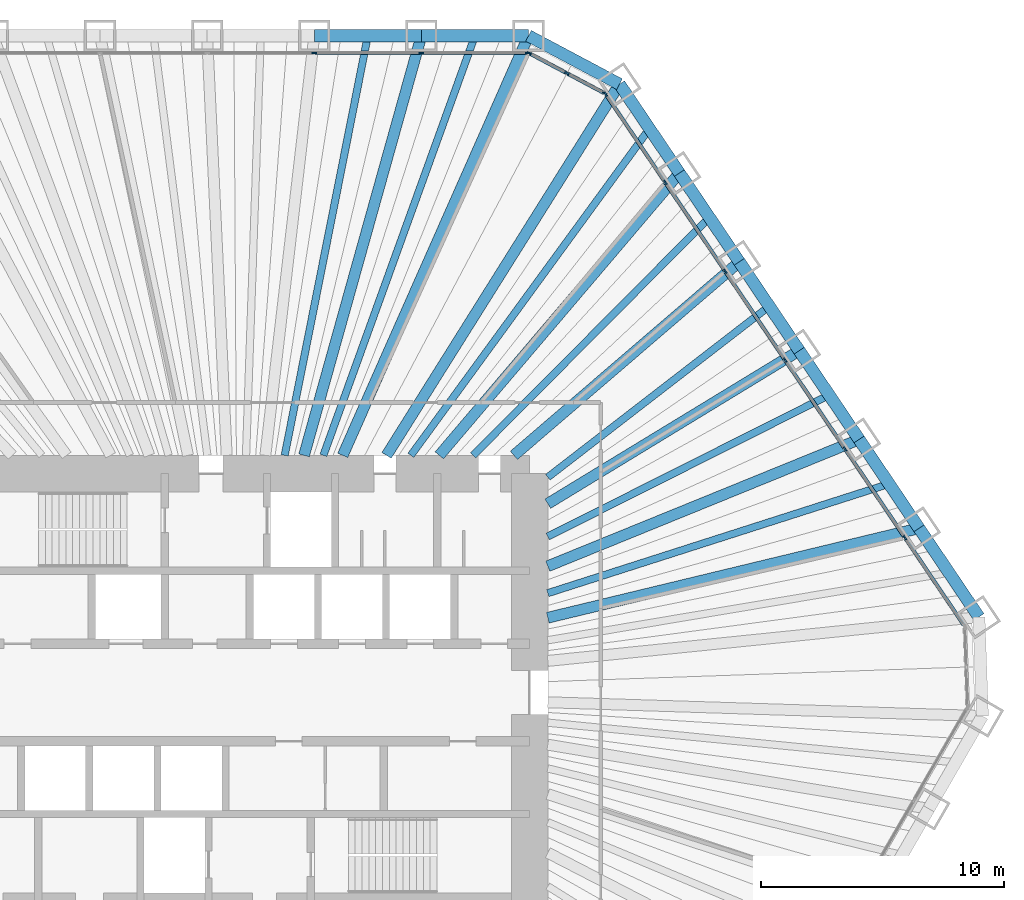
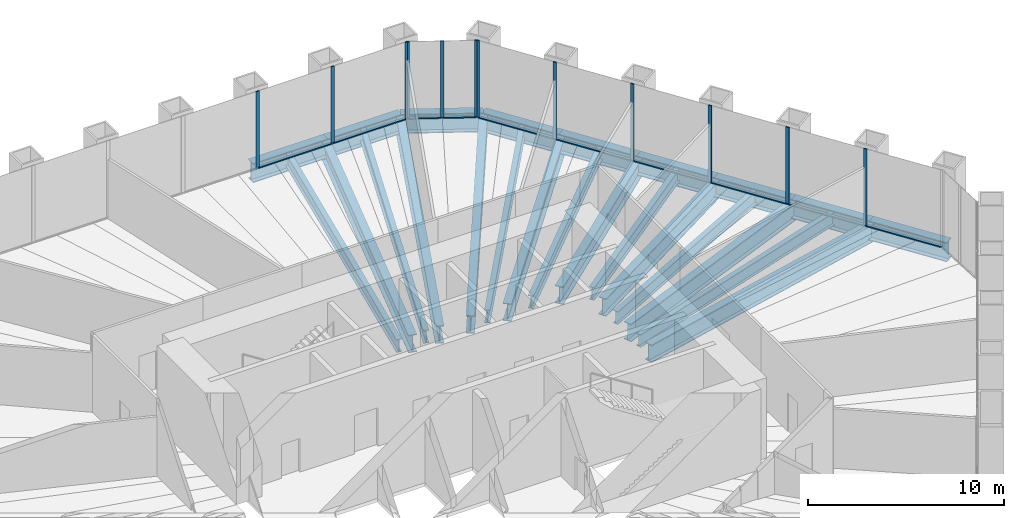
# One storey, part 7 of 14: 24 beams, 22 members, 3 elements without a shape of their own.
"""IFC4 building model written with IfcOpenShell, lengths in metres."""

from ifc_helpers import new_model, si_unit, direction, frame, origin, origin_2d, place, context, subcontext, project, spatial, rectangle, i_section, extrude, material, material_profile, profile_set, type_object, element, aggregate, save


model = new_model("IFC4")

# Units and contexts
model_context = context("Model", 3, precision=1e-05, world=origin(), true_north=direction((0.0, 1.0)))
body_context = subcontext(model_context, "Body", "Model", "MODEL_VIEW")
ifc_project = project(units=[si_unit("LENGTHUNIT", "METRE"), si_unit("AREAUNIT", "SQUARE_METRE"), si_unit("VOLUMEUNIT", "CUBIC_METRE"), si_unit("PLANEANGLEUNIT", "RADIAN"), si_unit("MASSUNIT", "GRAM", prefix="KILO")], contexts=[model_context])

# Site, building, storey
site_placement = place(None, origin())
site = spatial("IfcSite", under=ifc_project, at=site_placement, CompositionType="ELEMENT")
building_placement = place(site_placement, origin())
building = spatial("IfcBuilding", under=site, at=building_placement, Name="Qingtian Harvest Tower", CompositionType="ELEMENT")
storey_placement = place(building_placement, frame((0.0, 0.0, 82.0)))
storey = spatial("IfcBuildingStorey", under=building, at=storey_placement, Name="L16", CompositionType="ELEMENT", Elevation=82.0)

# Beams
ifc_material_1 = material(Name="Steel SM570MC", Category="steel")
ifc_material_profile_1 = material_profile(ifc_material_1, i_section(OverallWidth=0.449951171875, OverallDepth=1.10009765625, WebThickness=0.02197265625, FlangeThickness=0.044921875, at=origin_2d()), Name="H1100x450x22x45")
ifc_profile_set_1 = profile_set([ifc_material_profile_1], Name="Steel SM570MC")
beam_type_1 = type_object("IfcBeamType", Name="Corner floor beam FB8 H1100x450x22x45", PredefinedType="BEAM", material=ifc_profile_set_1)
beam_1_placement = place(storey_placement, frame((11.9560546875, 27.0, -0.75), z_axis=(-0.404898955654, -0.914361436036, 0.0), x_axis=(0.914361436036, -0.404898955654, 0.0)))
element("IfcBeam", 1, at=beam_1_placement, inside=storey, type_object=beam_type_1, Name="Floor beam FB8 N6", PredefinedType="BEAM", context=body_context, shape_type="SweptSolid", body=[
    extrude(i_section(OverallWidth=0.449951171875, OverallDepth=1.10009765625, WebThickness=0.02197265625, FlangeThickness=0.044921875, at=origin_2d()), origin(), (0.0, 0.0, 1.0), 18.86572265625),
])
beam_2_placement = place(storey_placement, frame((15.6982421875, 25.01025390625, -0.75), z_axis=(-0.531622796942, -0.846981228701, 0.0), x_axis=(0.846981228701, -0.531622796942, 0.0)))
element("IfcBeam", 2, at=beam_2_placement, inside=storey, type_object=beam_type_1, Name="Floor beam FB8 NE0", PredefinedType="BEAM", context=body_context, shape_type="SweptSolid", body=[
    extrude(i_section(OverallWidth=0.449951171875, OverallDepth=1.10009765625, WebThickness=0.02197265625, FlangeThickness=0.044921875, at=origin_2d()), origin(), (0.0, 0.0, 1.0), 18.017333984375),
])
ifc_material_2 = material(Name="Steel SM570MC", Category="steel")
ifc_material_profile_2 = material_profile(ifc_material_2, i_section(OverallWidth=0.449951171875, OverallDepth=1.10009765625, WebThickness=0.02197265625, FlangeThickness=0.044921875, at=origin_2d()), Name="H1100x450x22x45")
ifc_profile_set_2 = profile_set([ifc_material_profile_2], Name="Steel SM570MC")
beam_type_2 = type_object("IfcBeamType", Name="Floor beam FB1 H1100x450x22x45", PredefinedType="BEAM", material=ifc_profile_set_2)
beam_3_placement = place(storey_placement, frame((7.551513671875, 27.0, -0.75), z_axis=(-0.269343258019, -0.963044240604, 0.0), x_axis=(0.963044240604, -0.269343258019, 0.0)))
element("IfcBeam", 3, at=beam_3_placement, inside=storey, type_object=beam_type_2, Name="Floor beam FB1 N5", PredefinedType="BEAM", context=body_context, shape_type="SweptSolid", body=[
    extrude(i_section(OverallWidth=0.449951171875, OverallDepth=1.10009765625, WebThickness=0.02197265625, FlangeThickness=0.044921875, at=origin_2d()), origin(), (0.0, 0.0, 1.0), 17.911865234375),
])
beam_4_placement = place(storey_placement, frame((18.1611328125, 21.358642578125, -0.75), z_axis=(-0.647781887327, -0.761825850474, 0.0), x_axis=(0.761825850474, -0.647781887327, 0.0)))
element("IfcBeam", 4, at=beam_4_placement, inside=storey, type_object=beam_type_2, Name="Floor beam FB1 NE1", PredefinedType="BEAM", context=body_context, shape_type="SweptSolid", body=[
    extrude(i_section(OverallWidth=0.449951171875, OverallDepth=1.10009765625, WebThickness=0.02197265625, FlangeThickness=0.044921875, at=origin_2d()), origin(), (0.0, 0.0, 1.0), 15.238037109375),
])
beam_5_placement = place(storey_placement, frame((20.624267578125, 17.70703125, -0.75), z_axis=(-0.75873153072, -0.651403457384, 0.0), x_axis=(0.651403457384, -0.75873153072, 0.0)))
element("IfcBeam", 5, at=beam_5_placement, inside=storey, type_object=beam_type_2, Name="Floor beam FB1 NE2", PredefinedType="BEAM", context=body_context, shape_type="SweptSolid", body=[
    extrude(i_section(OverallWidth=0.449951171875, OverallDepth=1.10009765625, WebThickness=0.02197265625, FlangeThickness=0.044921875, at=origin_2d()), origin(), (0.0, 0.0, 1.0), 12.21533203125),
])
beam_6_placement = place(storey_placement, frame((23.08740234375, 14.0556640625, -0.75), z_axis=(-0.854157261259, -0.520014781558, 0.0), x_axis=(0.520014781558, -0.854157261259, 0.0)))
element("IfcBeam", 6, at=beam_6_placement, inside=storey, type_object=beam_type_2, Name="Floor beam FB1 NE3", PredefinedType="BEAM", context=body_context, shape_type="SweptSolid", body=[
    extrude(i_section(OverallWidth=0.449951171875, OverallDepth=1.10009765625, WebThickness=0.02197265625, FlangeThickness=0.044921875, at=origin_2d()), origin(), (0.0, 0.0, 1.0), 12.1025390625),
])
beam_7_placement = place(storey_placement, frame((25.55029296875, 10.404052734375, -0.75), z_axis=(-0.926156354735, -0.37713977062, 0.0), x_axis=(0.37713977062, -0.926156354735, 0.0)))
element("IfcBeam", 7, at=beam_7_placement, inside=storey, type_object=beam_type_2, Name="Floor beam FB1 NE4", PredefinedType="BEAM", context=body_context, shape_type="SweptSolid", body=[
    extrude(i_section(OverallWidth=0.449951171875, OverallDepth=1.10009765625, WebThickness=0.02197265625, FlangeThickness=0.044921875, at=origin_2d()), origin(), (0.0, 0.0, 1.0), 13.82080078125),
])
beam_8_placement = place(storey_placement, frame((28.013427734375, 6.75244140625, -0.75), z_axis=(-0.972155908389, -0.234334994792, 0.0), x_axis=(0.234334994792, -0.972155908389, 0.0)))
element("IfcBeam", 8, at=beam_8_placement, inside=storey, type_object=beam_type_2, Name="Floor beam FB1 NE5", PredefinedType="BEAM", context=body_context, shape_type="SweptSolid", body=[
    extrude(i_section(OverallWidth=0.449951171875, OverallDepth=1.10009765625, WebThickness=0.02197265625, FlangeThickness=0.044921875, at=origin_2d()), origin(), (0.0, 0.0, 1.0), 15.70068359375),
])
ifc_material_3 = material(Name="Steel SN490B", Category="steel")
ifc_material_profile_3 = material_profile(ifc_material_3, i_section(OverallWidth=0.300048828125, OverallDepth=0.800048828125, WebThickness=0.013916015625, FlangeThickness=0.02587890625, at=origin_2d()), Name="H800x300x14x26")
ifc_profile_set_3 = profile_set([ifc_material_profile_3], Name="Steel SN490B")
beam_type_3 = type_object("IfcBeamType", Name="Floor joist J1 H800x300x14x26", PredefinedType="JOIST", material=ifc_profile_set_3)
beam_9_placement = place(storey_placement, frame((5.349365234375, 27.0, -0.60009765625), z_axis=(-0.19435104803, -0.980932041545, 0.0), x_axis=(0.980932041545, -0.19435104803, 0.0)))
element("IfcBeam", 9, at=beam_9_placement, inside=storey, type_object=beam_type_3, Name="Floor joist J1 N4", PredefinedType="JOIST", context=body_context, shape_type="SweptSolid", body=[
    extrude(i_section(OverallWidth=0.300048828125, OverallDepth=0.800048828125, WebThickness=0.013916015625, FlangeThickness=0.02587890625, at=origin_2d()), origin(), (0.0, 0.0, 1.0), 17.585205078125),
])
beam_10_placement = place(storey_placement, frame((9.75390625, 27.0, -0.60009765625), z_axis=(-0.339766141765, -0.940509951521, 0.0), x_axis=(0.940509951521, -0.339766141765, 0.0)))
element("IfcBeam", 10, at=beam_10_placement, inside=storey, type_object=beam_type_3, Name="Floor joist J1 N5", PredefinedType="JOIST", context=body_context, shape_type="SweptSolid", body=[
    extrude(i_section(OverallWidth=0.300048828125, OverallDepth=0.800048828125, WebThickness=0.013916015625, FlangeThickness=0.02587890625, at=origin_2d()), origin(), (0.0, 0.0, 1.0), 18.341064453125),
])
beam_11_placement = place(storey_placement, frame((16.9296875, 23.1845703125, -0.60009765625), z_axis=(-0.589722175422, -0.80760618857, 0.0), x_axis=(0.80760618857, -0.589722175422, 0.0)))
element("IfcBeam", 11, at=beam_11_placement, inside=storey, type_object=beam_type_3, Name="Floor joist J1 NE0", PredefinedType="JOIST", context=body_context, shape_type="SweptSolid", body=[
    extrude(i_section(OverallWidth=0.300048828125, OverallDepth=0.800048828125, WebThickness=0.013916015625, FlangeThickness=0.02587890625, at=origin_2d()), origin(), (0.0, 0.0, 1.0), 16.635009765625),
])
beam_12_placement = place(storey_placement, frame((19.392822265625, 19.532958984375, -0.60009765625), z_axis=(-0.704560879039, -0.709643549768, 0.0), x_axis=(0.709643549768, -0.704560879039, 0.0)))
element("IfcBeam", 12, at=beam_12_placement, inside=storey, type_object=beam_type_3, Name="Floor joist J1 NE1", PredefinedType="JOIST", context=body_context, shape_type="SweptSolid", body=[
    extrude(i_section(OverallWidth=0.300048828125, OverallDepth=0.800048828125, WebThickness=0.013916015625, FlangeThickness=0.02587890625, at=origin_2d()), origin(), (0.0, 0.0, 1.0), 13.78564453125),
])
beam_13_placement = place(storey_placement, frame((21.855712890625, 15.88134765625, -0.60009765625), z_axis=(-0.79149450594, -0.611176281499, 0.0), x_axis=(0.611176281499, -0.79149450594, 0.0)))
element("IfcBeam", 13, at=beam_13_placement, inside=storey, type_object=beam_type_3, Name="Floor joist J1 NE2", PredefinedType="JOIST", context=body_context, shape_type="SweptSolid", body=[
    extrude(i_section(OverallWidth=0.300048828125, OverallDepth=0.800048828125, WebThickness=0.013916015625, FlangeThickness=0.02587890625, at=origin_2d()), origin(), (0.0, 0.0, 1.0), 11.50439453125),
])
beam_14_placement = place(storey_placement, frame((24.31884765625, 12.229736328125, -0.60009765625), z_axis=(-0.893391632689, -0.449278744924, 0.0), x_axis=(0.449278744924, -0.893391632689, 0.0)))
element("IfcBeam", 14, at=beam_14_placement, inside=storey, type_object=beam_type_3, Name="Floor joist J1 NE3", PredefinedType="JOIST", context=body_context, shape_type="SweptSolid", body=[
    extrude(i_section(OverallWidth=0.300048828125, OverallDepth=0.800048828125, WebThickness=0.013916015625, FlangeThickness=0.02587890625, at=origin_2d()), origin(), (0.0, 0.0, 1.0), 12.949462890625),
])
beam_15_placement = place(storey_placement, frame((26.78173828125, 8.578125, -0.60009765625), z_axis=(-0.952340804978, -0.305036048976, 0.0), x_axis=(0.305036048976, -0.952340804978, 0.0)))
element("IfcBeam", 15, at=beam_15_placement, inside=storey, type_object=beam_type_3, Name="Floor joist J1 NE4", PredefinedType="JOIST", context=body_context, shape_type="SweptSolid", body=[
    extrude(i_section(OverallWidth=0.300048828125, OverallDepth=0.800048828125, WebThickness=0.013916015625, FlangeThickness=0.02587890625, at=origin_2d()), origin(), (0.0, 0.0, 1.0), 14.73388671875),
])

# Curtain wall, members
ifc_material_4 = material(Name="Bronze-anodised aluminium curtain wall", Category="aluminium")
curtain_wall_type = type_object("IfcCurtainWallType", Name="Curtain wall CW2 farm reception", PredefinedType="USERDEFINED", material=ifc_material_4)
curtain_wall_1_placement = place(storey_placement, origin())
curtain_wall_1 = element("IfcCurtainWall", 16, at=curtain_wall_1_placement, inside=storey, type_object=curtain_wall_type, Name="Curtain wall CW2 L16 N0-5", ObjectType="RECESSED CURTAIN WALL", PredefinedType="USERDEFINED")
ifc_material_5 = material(Name="Bronze-anodised aluminium mullion", Category="aluminium")
ifc_material_profile_4 = material_profile(ifc_material_5, rectangle(XDim=0.06494140625, YDim=0.199951171875, at=origin_2d()), Name="AL 65x200")
ifc_profile_set_4 = profile_set([ifc_material_profile_4], Name="Bronze-anodised aluminium mullion")
member_type_1 = type_object("IfcMemberType", Name="Mullion CWM 65x200", PredefinedType="MULLION", material=ifc_profile_set_4)
member_1_placement = place(storey_placement, frame((3.14697265625, 26.300048828125, 0.0), z_axis=(0.0, 0.0, 1.0), x_axis=(0.0, 1.0, 0.0)))
member_1 = element("IfcMember", 17, at=member_1_placement, type_object=member_type_1, Name="CW2 mullion 5", PredefinedType="MULLION", context=body_context, shape_type="SweptSolid", body=[
    extrude(rectangle(XDim=0.06494140625, YDim=0.199951171875, at=origin_2d()), origin(), (0.0, 0.0, 1.0), 4.800048828125),
])
member_2_placement = place(storey_placement, frame((7.551513671875, 26.300048828125, 0.0), z_axis=(0.0, 0.0, 1.0), x_axis=(0.0, 1.0, 0.0)))
member_2 = element("IfcMember", 18, at=member_2_placement, type_object=member_type_1, Name="CW2 mullion 6", PredefinedType="MULLION", context=body_context, shape_type="SweptSolid", body=[
    extrude(rectangle(XDim=0.06494140625, YDim=0.199951171875, at=origin_2d()), origin(), (0.0, 0.0, 1.0), 4.800048828125),
])
member_3_placement = place(storey_placement, frame((11.923583984375, 26.300048828125, 0.0), z_axis=(0.0, 0.0, 1.0), x_axis=(0.0, 1.0, 0.0)))
member_3 = element("IfcMember", 19, at=member_3_placement, type_object=member_type_1, Name="CW2 mullion 7", PredefinedType="MULLION", context=body_context, shape_type="SweptSolid", body=[
    extrude(rectangle(XDim=0.06494140625, YDim=0.199951171875, at=origin_2d()), origin(), (0.0, 0.0, 1.0), 4.800048828125),
])

curtain_wall_2_placement = place(storey_placement, origin())
curtain_wall_2 = element("IfcCurtainWall", 20, at=curtain_wall_2_placement, inside=storey, type_object=curtain_wall_type, Name="Curtain wall CW2 L16 NC", ObjectType="RECESSED CURTAIN WALL", PredefinedType="USERDEFINED")
member_4_placement = place(storey_placement, frame((11.98486328125, 26.28466796875, 0.0), z_axis=(0.0, 0.0, 1.0), x_axis=(0.469471562786, 0.882947592859, 0.0)))
member_4 = element("IfcMember", 21, at=member_4_placement, type_object=member_type_1, Name="CW2 mullion 1", PredefinedType="MULLION", context=body_context, shape_type="SweptSolid", body=[
    extrude(rectangle(XDim=0.06494140625, YDim=0.199951171875, at=origin_2d()), origin(), (0.0, 0.0, 1.0), 4.800048828125),
])
member_5_placement = place(storey_placement, frame((13.537109375, 25.45947265625, 0.0), z_axis=(0.0, 0.0, 1.0), x_axis=(0.469471562786, 0.882947592859, 0.0)))
member_5 = element("IfcMember", 22, at=member_5_placement, type_object=member_type_1, Name="CW2 mullion 2", PredefinedType="MULLION", context=body_context, shape_type="SweptSolid", body=[
    extrude(rectangle(XDim=0.06494140625, YDim=0.199951171875, at=origin_2d()), origin(), (0.0, 0.0, 1.0), 4.800048828125),
])
member_6_placement = place(storey_placement, frame((15.089111328125, 24.634033203125, 0.0), z_axis=(0.0, 0.0, 1.0), x_axis=(0.469471562786, 0.882947592859, 0.0)))
member_6 = element("IfcMember", 23, at=member_6_placement, type_object=member_type_1, Name="CW2 mullion 3", PredefinedType="MULLION", context=body_context, shape_type="SweptSolid", body=[
    extrude(rectangle(XDim=0.06494140625, YDim=0.199951171875, at=origin_2d()), origin(), (0.0, 0.0, 1.0), 4.800048828125),
])

curtain_wall_3_placement = place(storey_placement, origin())
curtain_wall_3 = element("IfcCurtainWall", 24, at=curtain_wall_3_placement, inside=storey, type_object=curtain_wall_type, Name="Curtain wall CW2 L16 NE0-5", ObjectType="RECESSED CURTAIN WALL", PredefinedType="USERDEFINED")
member_7_placement = place(storey_placement, frame((15.135986328125, 24.592041015625, 0.0), z_axis=(0.0, 0.0, 1.0), x_axis=(0.829037572555, 0.559192903471, 0.0)))
member_7 = element("IfcMember", 25, at=member_7_placement, type_object=member_type_1, Name="CW2 mullion 1", PredefinedType="MULLION", context=body_context, shape_type="SweptSolid", body=[
    extrude(rectangle(XDim=0.06494140625, YDim=0.199951171875, at=origin_2d()), origin(), (0.0, 0.0, 1.0), 4.800048828125),
])
member_8_placement = place(storey_placement, frame((17.580810546875, 20.96728515625, 0.0), z_axis=(0.0, 0.0, 1.0), x_axis=(0.829037572555, 0.559192903471, 0.0)))
member_8 = element("IfcMember", 26, at=member_8_placement, type_object=member_type_1, Name="CW2 mullion 2", PredefinedType="MULLION", context=body_context, shape_type="SweptSolid", body=[
    extrude(rectangle(XDim=0.06494140625, YDim=0.199951171875, at=origin_2d()), origin(), (0.0, 0.0, 1.0), 4.800048828125),
])
member_9_placement = place(storey_placement, frame((20.0439453125, 17.315673828125, 0.0), z_axis=(0.0, 0.0, 1.0), x_axis=(0.829037572555, 0.559192903471, 0.0)))
member_9 = element("IfcMember", 27, at=member_9_placement, type_object=member_type_1, Name="CW2 mullion 3", PredefinedType="MULLION", context=body_context, shape_type="SweptSolid", body=[
    extrude(rectangle(XDim=0.06494140625, YDim=0.199951171875, at=origin_2d()), origin(), (0.0, 0.0, 1.0), 4.800048828125),
])
member_10_placement = place(storey_placement, frame((22.507080078125, 13.6640625, 0.0), z_axis=(0.0, 0.0, 1.0), x_axis=(0.829037572555, 0.559192903471, 0.0)))
member_10 = element("IfcMember", 28, at=member_10_placement, type_object=member_type_1, Name="CW2 mullion 4", PredefinedType="MULLION", context=body_context, shape_type="SweptSolid", body=[
    extrude(rectangle(XDim=0.06494140625, YDim=0.199951171875, at=origin_2d()), origin(), (0.0, 0.0, 1.0), 4.800048828125),
])
member_11_placement = place(storey_placement, frame((24.969970703125, 10.012451171875, 0.0), z_axis=(0.0, 0.0, 1.0), x_axis=(0.829037572555, 0.559192903471, 0.0)))
member_11 = element("IfcMember", 29, at=member_11_placement, type_object=member_type_1, Name="CW2 mullion 5", PredefinedType="MULLION", context=body_context, shape_type="SweptSolid", body=[
    extrude(rectangle(XDim=0.06494140625, YDim=0.199951171875, at=origin_2d()), origin(), (0.0, 0.0, 1.0), 4.800048828125),
])
member_12_placement = place(storey_placement, frame((27.43310546875, 6.36083984375, 0.0), z_axis=(0.0, 0.0, 1.0), x_axis=(0.829037572555, 0.559192903471, 0.0)))
member_12 = element("IfcMember", 30, at=member_12_placement, type_object=member_type_1, Name="CW2 mullion 6", PredefinedType="MULLION", context=body_context, shape_type="SweptSolid", body=[
    extrude(rectangle(XDim=0.06494140625, YDim=0.199951171875, at=origin_2d()), origin(), (0.0, 0.0, 1.0), 4.800048828125),
])

# Beams
ifc_material_6 = material(Name="Steel SM570MC", Category="steel")
ifc_material_profile_5 = material_profile(ifc_material_6, i_section(OverallWidth=0.5, OverallDepth=1.199951171875, WebThickness=0.02490234375, FlangeThickness=0.050048828125, at=origin_2d()), Name="H1200x500x25x50")
ifc_profile_set_5 = profile_set([ifc_material_profile_5], Name="Steel SM570MC")
beam_type_4 = type_object("IfcBeamType", Name="Spandrel beam SB1 H1200x500x25x50", PredefinedType="SPANDREL", material=ifc_profile_set_5)
for number, where, z_axis, x_axis, name in (
    (31, (3.14697265625, 27.0, -0.60009765625), (1.0, 0.0, 0.0), (0.0, 1.0, 0.0), "Spandrel SB1 N4"),
    (32, (7.551513671875, 27.0, -0.60009765625), (1.0, 0.0, 0.0), (0.0, 1.0, 0.0), "Spandrel SB1 N5"),
):
    element("IfcBeam", number, at=place(storey_placement, frame(where, z_axis=z_axis, x_axis=x_axis)), inside=storey, type_object=beam_type_4, Name=name, PredefinedType="SPANDREL", context=body_context, shape_type="SweptSolid", body=[
        extrude(i_section(OverallWidth=0.5, OverallDepth=1.199951171875, WebThickness=0.02490234375, FlangeThickness=0.050048828125, at=origin_2d()), origin(), (0.0, 0.0, 1.0), 4.404541015625),
    ])
beam_16_placement = place(storey_placement, frame((11.9560546875, 27.0, -0.60009765625), z_axis=(0.882948599748, -0.469469669099, 0.0), x_axis=(0.469469669099, 0.882948599748, 0.0)))
element("IfcBeam", 33, at=beam_16_placement, inside=storey, type_object=beam_type_4, Name="Spandrel SB1 NC", PredefinedType="SPANDREL", context=body_context, shape_type="SweptSolid", body=[
    extrude(i_section(OverallWidth=0.5, OverallDepth=1.199951171875, WebThickness=0.02490234375, FlangeThickness=0.050048828125, at=origin_2d()), origin(), (0.0, 0.0, 1.0), 4.23828125),
])
beam_17_placement = place(storey_placement, frame((15.6982421875, 25.01025390625, -0.60009765625), z_axis=(0.559169135272, -0.829053603912, 0.0), x_axis=(0.829053603912, 0.559169135272, 0.0)))
element("IfcBeam", 34, at=beam_17_placement, inside=storey, type_object=beam_type_4, Name="Spandrel SB1 NE0", PredefinedType="SPANDREL", context=body_context, shape_type="SweptSolid", body=[
    extrude(i_section(OverallWidth=0.5, OverallDepth=1.199951171875, WebThickness=0.02490234375, FlangeThickness=0.050048828125, at=origin_2d()), origin(), (0.0, 0.0, 1.0), 4.404541015625),
])
beam_18_placement = place(storey_placement, frame((18.1611328125, 21.358642578125, -0.60009765625), z_axis=(0.559207231603, -0.829027907928, 0.0), x_axis=(0.829027907928, 0.559207231603, 0.0)))
element("IfcBeam", 35, at=beam_18_placement, inside=storey, type_object=beam_type_4, Name="Spandrel SB1 NE1", PredefinedType="SPANDREL", context=body_context, shape_type="SweptSolid", body=[
    extrude(i_section(OverallWidth=0.5, OverallDepth=1.199951171875, WebThickness=0.02490234375, FlangeThickness=0.050048828125, at=origin_2d()), origin(), (0.0, 0.0, 1.0), 4.40478515625),
])
for number, where, z_axis, x_axis, name in (
    (36, (20.624267578125, 17.70703125, -0.60009765625), (0.559232928578, -0.829010573874, 0.0), (0.829010573874, 0.559232928578, 0.0), "Spandrel SB1 NE2"),
    (37, (23.08740234375, 14.0556640625, -0.60009765625), (0.559169135272, -0.829053603912, 0.0), (0.829053603912, 0.559169135272, 0.0), "Spandrel SB1 NE3"),
):
    element("IfcBeam", number, at=place(storey_placement, frame(where, z_axis=z_axis, x_axis=x_axis)), inside=storey, type_object=beam_type_4, Name=name, PredefinedType="SPANDREL", context=body_context, shape_type="SweptSolid", body=[
        extrude(i_section(OverallWidth=0.5, OverallDepth=1.199951171875, WebThickness=0.02490234375, FlangeThickness=0.050048828125, at=origin_2d()), origin(), (0.0, 0.0, 1.0), 4.404541015625),
    ])
beam_19_placement = place(storey_placement, frame((25.55029296875, 10.404052734375, -0.60009765625), z_axis=(0.559207231603, -0.829027907928, 0.0), x_axis=(0.829027907928, 0.559207231603, 0.0)))
element("IfcBeam", 38, at=beam_19_placement, inside=storey, type_object=beam_type_4, Name="Spandrel SB1 NE4", PredefinedType="SPANDREL", context=body_context, shape_type="SweptSolid", body=[
    extrude(i_section(OverallWidth=0.5, OverallDepth=1.199951171875, WebThickness=0.02490234375, FlangeThickness=0.050048828125, at=origin_2d()), origin(), (0.0, 0.0, 1.0), 4.40478515625),
])
beam_20_placement = place(storey_placement, frame((28.013427734375, 6.75244140625, -0.60009765625), z_axis=(0.559169135272, -0.829053603912, 0.0), x_axis=(0.829053603912, 0.559169135272, 0.0)))
element("IfcBeam", 39, at=beam_20_placement, inside=storey, type_object=beam_type_4, Name="Spandrel SB1 NE5", PredefinedType="SPANDREL", context=body_context, shape_type="SweptSolid", body=[
    extrude(i_section(OverallWidth=0.5, OverallDepth=1.199951171875, WebThickness=0.02490234375, FlangeThickness=0.050048828125, at=origin_2d()), origin(), (0.0, 0.0, 1.0), 4.404541015625),
])

# Member
ifc_material_7 = material(Name="Bronze-anodised aluminium transom", Category="aluminium")
ifc_material_profile_6 = material_profile(ifc_material_7, rectangle(XDim=0.14990234375, YDim=0.06494140625, at=origin_2d()), Name="AL 65x150")
ifc_profile_set_6 = profile_set([ifc_material_profile_6], Name="Bronze-anodised aluminium transom")
member_type_2 = type_object("IfcMemberType", Name="Transom CWT 65x150", PredefinedType="USERDEFINED", material=ifc_profile_set_6)
member_13_placement = place(storey_placement, frame((3.179443359375, 26.300048828125, 0.032470703125), z_axis=(1.0, 0.0, 0.0), x_axis=(0.0, 1.0, 0.0)))
member_13 = element("IfcMember", 40, at=member_13_placement, type_object=member_type_2, Name="CW2 transom 5.1", ObjectType="TRANSOM", PredefinedType="USERDEFINED", context=body_context, shape_type="SweptSolid", body=[
    extrude(rectangle(XDim=0.14990234375, YDim=0.06494140625, at=origin_2d()), origin(), (0.0, 0.0, 1.0), 4.339599609375),
])

member_14_placement = place(storey_placement, frame((7.583984375, 26.300048828125, 0.032470703125), z_axis=(1.0, 0.0, 0.0), x_axis=(0.0, 1.0, 0.0)))
member_14 = element("IfcMember", 41, at=member_14_placement, type_object=member_type_2, Name="CW2 transom 6.1", ObjectType="TRANSOM", PredefinedType="USERDEFINED", context=body_context, shape_type="SweptSolid", body=[
    extrude(rectangle(XDim=0.14990234375, YDim=0.06494140625, at=origin_2d()), origin(), (0.0, 0.0, 1.0), 4.30712890625),
])

aggregate(curtain_wall_1, [member_1, member_2, member_3, member_13, member_14])

member_15_placement = place(storey_placement, frame((12.013427734375, 26.26953125, 0.032470703125), z_axis=(0.882927080927, -0.469510138086, 0.0), x_axis=(0.469510138086, 0.882927080927, 0.0)))
member_15 = element("IfcMember", 42, at=member_15_placement, type_object=member_type_2, Name="CW2 transom 1.1", ObjectType="TRANSOM", PredefinedType="USERDEFINED", context=body_context, shape_type="SweptSolid", body=[
    extrude(rectangle(XDim=0.14990234375, YDim=0.06494140625, at=origin_2d()), origin(), (0.0, 0.0, 1.0), 1.693115234375),
])

member_16_placement = place(storey_placement, frame((13.565673828125, 25.444091796875, 0.032470703125), z_axis=(0.882986854304, -0.469397715297, 0.0), x_axis=(0.469397715297, 0.882986854304, 0.0)))
member_16 = element("IfcMember", 43, at=member_16_placement, type_object=member_type_2, Name="CW2 transom 2.1", ObjectType="TRANSOM", PredefinedType="USERDEFINED", context=body_context, shape_type="SweptSolid", body=[
    extrude(rectangle(XDim=0.14990234375, YDim=0.06494140625, at=origin_2d()), origin(), (0.0, 0.0, 1.0), 1.69287109375),
])

aggregate(curtain_wall_2, [member_4, member_5, member_6, member_15, member_16])

member_17_placement = place(storey_placement, frame((15.154296875, 24.56494140625, 0.032470703125), z_axis=(0.559178817275, -0.82904707364, 0.0), x_axis=(0.82904707364, 0.559178817275, 0.0)))
member_17 = element("IfcMember", 44, at=member_17_placement, type_object=member_type_2, Name="CW2 transom 1.1", ObjectType="TRANSOM", PredefinedType="USERDEFINED", context=body_context, shape_type="SweptSolid", body=[
    extrude(rectangle(XDim=0.14990234375, YDim=0.06494140625, at=origin_2d()), origin(), (0.0, 0.0, 1.0), 4.30712890625),
])

member_18_placement = place(storey_placement, frame((17.59912109375, 20.9404296875, 0.032470703125), z_axis=(0.559210013199, -0.82902603164, 0.0), x_axis=(0.82902603164, 0.559210013199, 0.0)))
member_18 = element("IfcMember", 45, at=member_18_placement, type_object=member_type_2, Name="CW2 transom 2.1", ObjectType="TRANSOM", PredefinedType="USERDEFINED", context=body_context, shape_type="SweptSolid", body=[
    extrude(rectangle(XDim=0.14990234375, YDim=0.06494140625, at=origin_2d()), origin(), (0.0, 0.0, 1.0), 4.339599609375),
])

member_19_placement = place(storey_placement, frame((20.06201171875, 17.288818359375, 0.032470703125), z_axis=(0.559210013199, -0.82902603164, 0.0), x_axis=(0.82902603164, 0.559210013199, 0.0)))
member_19 = element("IfcMember", 46, at=member_19_placement, type_object=member_type_2, Name="CW2 transom 3.1", ObjectType="TRANSOM", PredefinedType="USERDEFINED", context=body_context, shape_type="SweptSolid", body=[
    extrude(rectangle(XDim=0.14990234375, YDim=0.06494140625, at=origin_2d()), origin(), (0.0, 0.0, 1.0), 4.339599609375),
])

member_20_placement = place(storey_placement, frame((22.525146484375, 13.63720703125, 0.032470703125), z_axis=(0.559210013199, -0.82902603164, 0.0), x_axis=(0.82902603164, 0.559210013199, 0.0)))
member_20 = element("IfcMember", 47, at=member_20_placement, type_object=member_type_2, Name="CW2 transom 4.1", ObjectType="TRANSOM", PredefinedType="USERDEFINED", context=body_context, shape_type="SweptSolid", body=[
    extrude(rectangle(XDim=0.14990234375, YDim=0.06494140625, at=origin_2d()), origin(), (0.0, 0.0, 1.0), 4.339599609375),
])

member_21_placement = place(storey_placement, frame((24.98828125, 9.985595703125, 0.032470703125), z_axis=(0.559171345763, -0.829052113005, 0.0), x_axis=(0.829052113005, 0.559171345763, 0.0)))
member_21 = element("IfcMember", 48, at=member_21_placement, type_object=member_type_2, Name="CW2 transom 5.1", ObjectType="TRANSOM", PredefinedType="USERDEFINED", context=body_context, shape_type="SweptSolid", body=[
    extrude(rectangle(XDim=0.14990234375, YDim=0.06494140625, at=origin_2d()), origin(), (0.0, 0.0, 1.0), 4.339599609375),
])

member_22_placement = place(storey_placement, frame((27.451171875, 6.333984375, 0.032470703125), z_axis=(0.559178817275, -0.82904707364, 0.0), x_axis=(0.82904707364, 0.559178817275, 0.0)))
member_22 = element("IfcMember", 49, at=member_22_placement, type_object=member_type_2, Name="CW2 transom 6.1", ObjectType="TRANSOM", PredefinedType="USERDEFINED", context=body_context, shape_type="SweptSolid", body=[
    extrude(rectangle(XDim=0.14990234375, YDim=0.06494140625, at=origin_2d()), origin(), (0.0, 0.0, 1.0), 4.30712890625),
])

aggregate(curtain_wall_3, [member_7, member_8, member_9, member_10, member_11, member_12, member_17, member_18, member_19, member_20, member_21, member_22])

save(model, "model.ifc")
